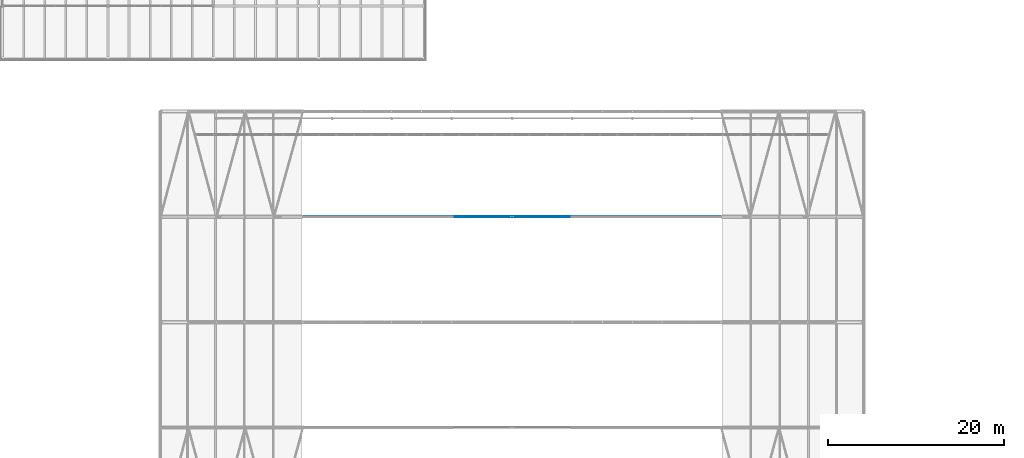
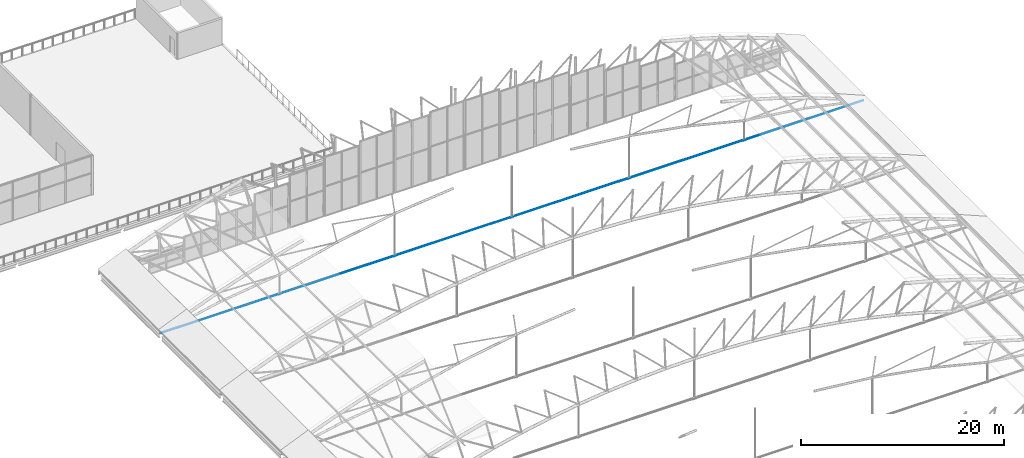
# One storey, part 175 of 321: 1 member.
"""IFC4 building model written with IfcOpenShell, lengths in metres."""

import ifcopenshell
import ifcopenshell.guid

model = None  # the IFC model being written
_history = None  # IfcOwnerHistory: only IFC2X3 demands one
_inside = {}  # id of a spatial element -> (the spatial element, [elements in it])
_under = {}  # id of a project, library or spatial element -> (it, [spatial elements below it])
_declared = {}  # id of a project -> (the project, [libraries it declares])
_typed = {}  # id of a type object -> (the type object, [elements of that type])
_made_of = {}  # id of a material, layer set ... -> (it, [elements and type objects made of it])


def new_model(schema):
    """Start an empty IFC model of exactly this schema.

    Asked for "IFC4X3", IfcOpenShell would pick the latest addendum, in which some entities
    have other attributes; the version numbers below select the first issue.
    IFC2X3 requires an IfcOwnerHistory on every rooted entity: one is made here for all.
    """
    global model, _history
    if schema == "IFC4X3":
        model = ifcopenshell.file(schema_version=(4, 3, 0, 0))
    else:
        model = ifcopenshell.file(schema=schema)
    _inside.clear()
    _under.clear()
    _declared.clear()
    _typed.clear()
    _made_of.clear()
    _history = None
    if model.schema == "IFC2X3":
        org = make("IfcOrganization", Name="unknown")
        user = make(
            "IfcPersonAndOrganization",
            ThePerson=make("IfcPerson", FamilyName="unknown"),
            TheOrganization=org,
        )
        app = make(
            "IfcApplication",
            ApplicationDeveloper=org,
            Version="unknown",
            ApplicationFullName="unknown",
            ApplicationIdentifier="unknown",
        )
        _history = make(
            "IfcOwnerHistory",
            OwningUser=user,
            OwningApplication=app,
            ChangeAction="ADDED",
            CreationDate=0,
        )
    return model


def make(cls, **values):
    """One entity of the class cls with the attributes given. An attribute that is None is left unset."""
    return model.create_entity(
        cls, **{name: value for name, value in values.items() if value is not None}
    )


def rooted(cls, **values):
    """An entity with a GlobalId (a new one), such as an element, a storey or a relation."""
    return make(cls, GlobalId=ifcopenshell.guid.new(), OwnerHistory=_history, **values)


def si_unit(unit_type, name, prefix=None):
    """IfcSIUnit, for example si_unit("LENGTHUNIT", "METRE", prefix="MILLI")."""
    return make("IfcSIUnit", UnitType=unit_type, Prefix=prefix, Name=name)


def assignment(units):
    """IfcUnitAssignment: the units of a project."""
    return None if units is None else make("IfcUnitAssignment", Units=units)


def point(xyz):
    """IfcCartesianPoint."""
    return None if xyz is None else make("IfcCartesianPoint", Coordinates=xyz)


def direction(xyz):
    """IfcDirection."""
    return None if xyz is None else make("IfcDirection", DirectionRatios=xyz)


def frame(location, z_axis=None, x_axis=None):
    """IfcAxis2Placement3D, a coordinate frame: its origin and axes. An axis left out is left unset."""
    return make(
        "IfcAxis2Placement3D",
        Location=point(location),
        Axis=direction(z_axis),
        RefDirection=direction(x_axis),
    )


def frame_2d(location, x_axis=None):
    """IfcAxis2Placement2D, a coordinate frame in the plane: its origin and x axis."""
    return make(
        "IfcAxis2Placement2D", Location=point(location), RefDirection=direction(x_axis)
    )


def origin():
    """The frame at (0, 0, 0) with its axes left unset."""
    return frame((0.0, 0.0, 0.0))


def origin_2d():
    """The frame at (0, 0) in the plane with its x axis left unset."""
    return frame_2d((0.0, 0.0))


def place(relative_to, where):
    """IfcLocalPlacement: puts the frame where relative to a parent placement (None: the world)."""
    return make(
        "IfcLocalPlacement", PlacementRelTo=relative_to, RelativePlacement=where
    )


def context(
    kind, dimensions, precision=None, world=None, true_north=None, identifier=None
):
    """IfcGeometricRepresentationContext, for example the 3D "Model" context."""
    return make(
        "IfcGeometricRepresentationContext",
        ContextIdentifier=identifier,
        ContextType=kind,
        CoordinateSpaceDimension=dimensions,
        Precision=precision,
        WorldCoordinateSystem=world,
        TrueNorth=true_north,
    )


def subcontext(parent, identifier, kind, view, scale=None):
    """IfcGeometricRepresentationSubContext, for example "Body" below "Model"."""
    return make(
        "IfcGeometricRepresentationSubContext",
        ContextIdentifier=identifier,
        ContextType=kind,
        ParentContext=parent,
        TargetScale=scale,
        TargetView=view,
    )


def project(units=None, contexts=None):
    """IfcProject with its units and contexts."""
    return rooted(
        "IfcProject",
        Name="project",
        RepresentationContexts=contexts,
        UnitsInContext=assignment(units),
    )


def spatial(cls, under=None, at=None, **own):
    """A site, building, storey or space (cls), placed at a placement, below another one or the project."""
    s = rooted(cls, ObjectPlacement=at, **own)
    if under is not None:
        _under.setdefault(under.id(), (under, []))[1].append(s)
    return s


def profile(cls, at=None, kind="AREA", **sizes):
    """A parametric profile (cls). Its sizes go by their IFC names, for example OverallWidth=200.0."""
    return make(cls, ProfileType=kind, Position=at, **sizes)


def circle(**sizes):
    """IfcCircleProfileDef."""
    return profile("IfcCircleProfileDef", **sizes)


def extrude(swept, where, along, depth):
    """IfcExtrudedAreaSolid: the profile swept, set in the frame where, extruded along a direction by depth."""
    return make(
        "IfcExtrudedAreaSolid",
        SweptArea=swept,
        Position=where,
        ExtrudedDirection=direction(along),
        Depth=depth,
    )


def shape(context_of_items, identifier, shape_type, items):
    """IfcShapeRepresentation: the items that make up one representation, for example the "Body"."""
    return make(
        "IfcShapeRepresentation",
        ContextOfItems=context_of_items,
        RepresentationIdentifier=identifier,
        RepresentationType=shape_type,
        Items=items,
    )


def material(Name=None, Category=None):
    """IfcMaterial."""
    return make("IfcMaterial", Name=Name, Category=Category)


def material_profile(
    of_material, cross_section, Name=None, Category=None, Priority=None
):
    """IfcMaterialProfile: a cross section and its material."""
    return make(
        "IfcMaterialProfile",
        Name=Name,
        Material=of_material,
        Profile=cross_section,
        Priority=Priority,
        Category=Category,
    )


def profile_set(profiles, Name=None, composite=None):
    """IfcMaterialProfileSet."""
    return make(
        "IfcMaterialProfileSet",
        Name=Name,
        MaterialProfiles=profiles,
        CompositeProfile=composite,
    )


def made_of(thing, what):
    """Note that an element or type object is made of a material, layer set ...; save() writes the relation."""
    if what is not None:
        _made_of.setdefault(what.id(), (what, []))[1].append(thing)
    return thing


def type_object(cls, material=None, **own):
    """A type object (cls), such as IfcWallType, which elements share."""
    return made_of(rooted(cls, **own), material)


def element(
    cls,
    number,
    at=None,
    inside=None,
    cuts=None,
    type_object=None,
    material=None,
    context=None,
    identifier="Body",
    shape_type=None,
    held_by="IfcProductDefinitionShape",
    body=None,
    shapes=None,
    **own,
):
    """One element of the class cls, such as IfcWall. Its Tag is "e" and its number.

    at: its placement. inside: the storey or other place that contains it. cuts: it is an
    opening in that element (IfcRelVoidsElement). A single representation is given by context,
    identifier, shape_type and body (its items); several are given by shapes. held_by: the class
    of the entity that holds the representations. save() writes the other relations.
    """
    e = rooted(cls, Tag="e%d" % number, ObjectPlacement=at, **own)
    if body is not None:
        shapes = [shape(context, identifier, shape_type, body)]
    if shapes is not None:
        e.Representation = make(held_by, Representations=shapes)
    if inside is not None:
        _inside.setdefault(inside.id(), (inside, []))[1].append(e)
    if cuts is not None:
        rooted(
            "IfcRelVoidsElement", RelatingBuildingElement=cuts, RelatedOpeningElement=e
        )
    if type_object is not None:
        _typed.setdefault(type_object.id(), (type_object, []))[1].append(e)
    return made_of(e, material)


def aggregate(whole, parts):
    """IfcRelAggregates: a whole, such as a stair, and the parts it consists of."""
    return rooted("IfcRelAggregates", RelatingObject=whole, RelatedObjects=parts)


def save(model, path):
    """Write the relations noted so far, then the file.

    IfcRelAggregates (storeys below a building ...), IfcRelContainedInSpatialStructure (elements
    in a storey), IfcRelDefinesByType, IfcRelAssociatesMaterial and IfcRelDeclares: one each for
    every whole, place, type object, material and project.
    """
    for whole, parts in _under.values():
        aggregate(whole, parts)
    for where, things in _inside.values():
        rooted(
            "IfcRelContainedInSpatialStructure",
            RelatedElements=things,
            RelatingStructure=where,
        )
    for kind, things in _typed.values():
        rooted("IfcRelDefinesByType", RelatedObjects=things, RelatingType=kind)
    for what, things in _made_of.values():
        rooted("IfcRelAssociatesMaterial", RelatedObjects=things, RelatingMaterial=what)
    for by, libraries in _declared.values():
        rooted("IfcRelDeclares", RelatingContext=by, RelatedDefinitions=libraries)
    model.write(path)


model = new_model("IFC4")

# Units and contexts
model_context = context("Model", 3, precision=1e-05, world=origin(), true_north=direction((0.0, 1.0)))
body_context = subcontext(model_context, "Body", "Model", "MODEL_VIEW")
ifc_project = project(units=[si_unit("LENGTHUNIT", "METRE"), si_unit("AREAUNIT", "SQUARE_METRE"), si_unit("VOLUMEUNIT", "CUBIC_METRE"), si_unit("PLANEANGLEUNIT", "RADIAN"), si_unit("MASSUNIT", "GRAM", prefix="KILO")], contexts=[model_context])

# Site, building, storey
site_placement = place(None, origin())
site = spatial("IfcSite", under=ifc_project, at=site_placement, CompositionType="ELEMENT")
building_placement = place(site_placement, origin())
building = spatial("IfcBuilding", under=site, at=building_placement, Name="Ravi Spectrum Wholesale Market", CompositionType="ELEMENT")
storey_placement = place(building_placement, frame((0.0, 0.0, 10.800048828125)))
storey = spatial("IfcBuildingStorey", under=building, at=storey_placement, Name="L02", CompositionType="ELEMENT", Elevation=10.800048828125)

# Member
ifc_material = material(Name="Steel S460", Category="steel")
ifc_material_profile = material_profile(ifc_material, circle(Radius=0.034912109375, at=origin_2d()))
ifc_profile_set = profile_set([ifc_material_profile], Name="Steel S460")
member_type = type_object("IfcMemberType", Name="ROD 70 tie", PredefinedType="BRACE", material=ifc_profile_set)
member_placement = place(storey_placement, frame((29.98974609375, 186.0, 0.023193359375), z_axis=(1.0, 0.0, 0.0), x_axis=(0.0, 1.0, 0.0)))
element("IfcMember", 1, at=member_placement, inside=storey, type_object=member_type, Name="H1-MB-L02-1129", PredefinedType="BRACE", context=body_context, shape_type="SweptSolid", body=[
    extrude(circle(Radius=0.034912109375, at=origin_2d()), origin(), (0.0, 0.0, 1.0), 80.0205078125),
])

save(model, "model.ifc")
